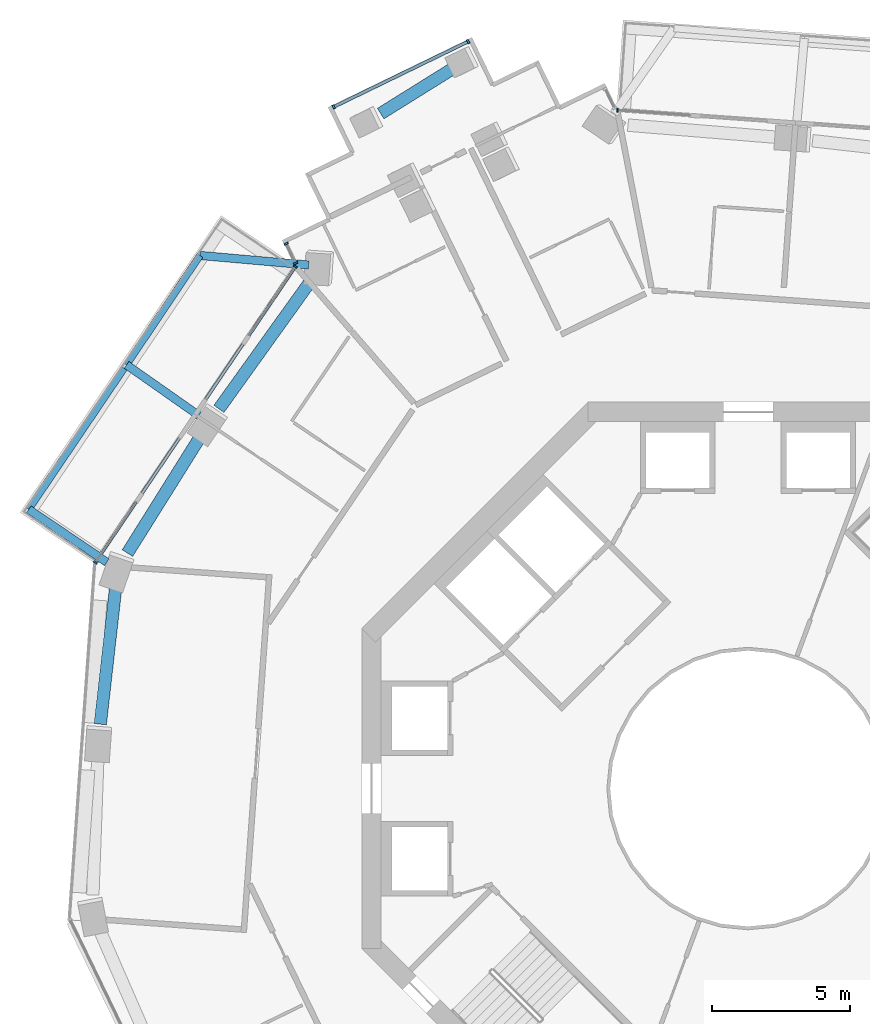
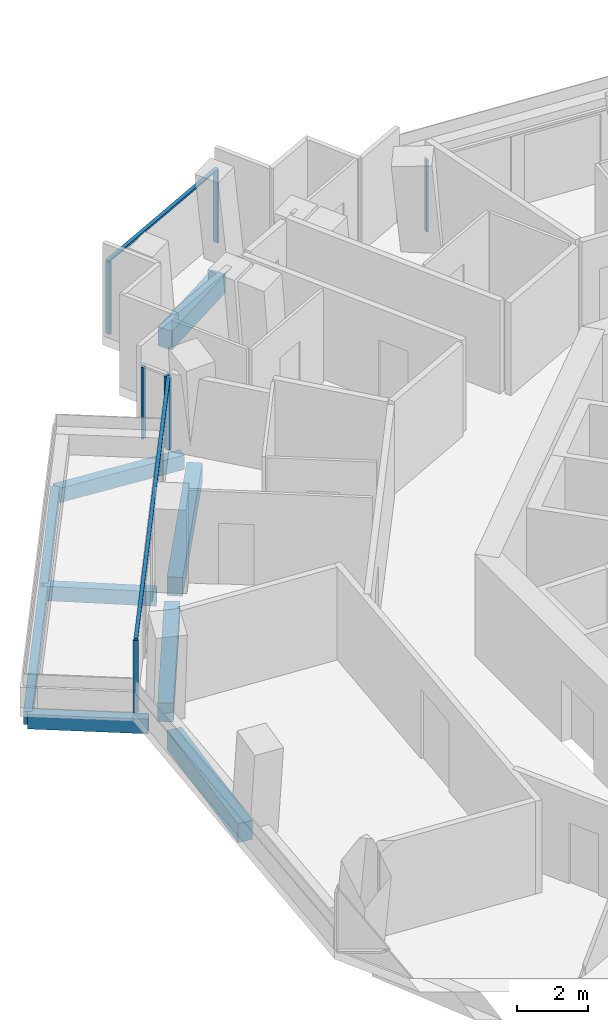
# One storey, part 6 of 22: 9 beams, 9 members, 4 elements without a shape of their own.
"""IFC4 building model written with IfcOpenShell, lengths in metres."""

from ifc_helpers import new_model, si_unit, direction, frame, origin, origin_2d, place, context, subcontext, project, spatial, rectangle, extrude, material, layer, layer_set, material_profile, profile_set, type_object, element, aggregate, save


model = new_model("IFC4")

# Units and contexts
model_context = context("Model", 3, precision=1e-05, world=origin(), true_north=direction((0.0, 1.0)))
body_context = subcontext(model_context, "Body", "Model", "MODEL_VIEW")
ifc_project = project(units=[si_unit("LENGTHUNIT", "METRE"), si_unit("AREAUNIT", "SQUARE_METRE"), si_unit("VOLUMEUNIT", "CUBIC_METRE"), si_unit("PLANEANGLEUNIT", "RADIAN"), si_unit("MASSUNIT", "GRAM", prefix="KILO")], contexts=[model_context])

# Site, building, storey
site_placement = place(None, origin())
site = spatial("IfcSite", under=ifc_project, at=site_placement, CompositionType="ELEMENT")
building_placement = place(site_placement, origin())
building = spatial("IfcBuilding", under=site, at=building_placement, Name="Verdalira Terraces Hotel", CompositionType="ELEMENT")
storey_placement = place(building_placement, frame((0.0, 0.0, 140.0)))
storey = spatial("IfcBuildingStorey", under=building, at=storey_placement, Name="L33", CompositionType="ELEMENT", Elevation=140.0)

# Beams
ifc_material_1 = material(Name="Concrete C40", Category="concrete")
ifc_material_profile_1 = material_profile(ifc_material_1, rectangle(XDim=0.300049, YDim=0.5, at=origin_2d()), Name="RC 300X500")
ifc_profile_set_1 = profile_set([ifc_material_profile_1], Name="Concrete C40")
beam_type_1 = type_object("IfcBeamType", Name="Balcony cantilever beam RC 300X500 C40", PredefinedType="BEAM", material=ifc_profile_set_1)
beam_1_placement = place(storey_placement, frame((-15.925293, 18.97168, -0.560059), z_axis=(-0.996130327, 0.087888399, 0.0), x_axis=(-0.087888399, -0.996130327, 0.0)))
element("IfcBeam", 1, at=beam_1_placement, inside=storey, type_object=beam_type_1, Name="Balcony cantilever beam R11-1", PredefinedType="BEAM", context=body_context, shape_type="SweptSolid", body=[
    extrude(rectangle(XDim=0.300049, YDim=0.5, at=origin_2d()), origin(), (0.0, 0.0, 1.0), 3.950195),
])
beam_2_placement = place(storey_placement, frame((-19.902344, 13.516113, -0.560059), z_axis=(-0.818722765, 0.574189023, 0.0), x_axis=(-0.574189023, -0.818722765, 0.0)))
element("IfcBeam", 2, at=beam_2_placement, inside=storey, type_object=beam_type_1, Name="Balcony cantilever beam R11-2", PredefinedType="BEAM", context=body_context, shape_type="SweptSolid", body=[
    extrude(rectangle(XDim=0.300049, YDim=0.5, at=origin_2d()), origin(), (0.0, 0.0, 1.0), 3.200928),
])
beam_3_placement = place(storey_placement, frame((-23.23584, 8.201904, -0.560059), z_axis=(-0.828238548, 0.560375684, 0.0), x_axis=(-0.560375684, -0.828238548, 0.0)))
element("IfcBeam", 3, at=beam_3_placement, inside=storey, type_object=beam_type_1, Name="Balcony cantilever beam R11-3", PredefinedType="BEAM", context=body_context, shape_type="SweptSolid", body=[
    extrude(rectangle(XDim=0.300049, YDim=0.5, at=origin_2d()), origin(), (0.0, 0.0, 1.0), 3.416992),
])
ifc_material_2 = material(Name="Concrete C40", Category="concrete")
ifc_material_profile_2 = material_profile(ifc_material_2, rectangle(XDim=0.25, YDim=0.449951, at=origin_2d()), Name="RC 250X450")
ifc_profile_set_2 = profile_set([ifc_material_profile_2], Name="Concrete C40")
beam_type_2 = type_object("IfcBeamType", Name="Balcony edge beam RC 250X450 C40", PredefinedType="BEAM", material=ifc_profile_set_2)
beam_4_placement = place(storey_placement, frame((-19.860107, 19.318848, -0.534912), z_axis=(-0.557539884, -0.830150153, 0.0), x_axis=(0.830150153, -0.557539884, 0.0)))
element("IfcBeam", 4, at=beam_4_placement, inside=storey, type_object=beam_type_2, Name="Balcony edge beam R11-1", PredefinedType="BEAM", context=body_context, shape_type="SweptSolid", body=[
    extrude(rectangle(XDim=0.25, YDim=0.449951, at=origin_2d()), origin(), (0.0, 0.0, 1.0), 4.776123),
])
beam_5_placement = place(storey_placement, frame((-22.607178, 15.229492, -0.534912), z_axis=(-0.560318944, -0.828276935, 0.0), x_axis=(0.828276935, -0.560318944, 0.0)))
element("IfcBeam", 5, at=beam_5_placement, inside=storey, type_object=beam_type_2, Name="Balcony edge beam R11-2", PredefinedType="BEAM", context=body_context, shape_type="SweptSolid", body=[
    extrude(rectangle(XDim=0.25, YDim=0.449951, at=origin_2d()), origin(), (0.0, 0.0, 1.0), 6.172852),
])

# Curtain wall, members
ifc_material_3 = material(Name="Clear glass", Category="glass")
ifc_layer_1 = layer(ifc_material_3, 0.14990234375)
ifc_layer_set_1 = layer_set([ifc_layer_1], Name="CW1 curtain wall")
curtain_wall_type_1 = type_object("IfcCurtainWallType", Name="CW1 curtain wall", PredefinedType="NOTDEFINED", material=ifc_layer_set_1)
curtain_wall_1_placement = place(storey_placement, origin())
curtain_wall_1 = element("IfcCurtainWall", 6, at=curtain_wall_1_placement, inside=storey, type_object=curtain_wall_type_1, Name="CW1 curtain wall L33 edge 11", PredefinedType="NOTDEFINED")
ifc_material_4 = material(Name="Terracotta frame", Category="masonry")
ifc_material_profile_3 = material_profile(ifc_material_4, rectangle(XDim=0.060059, YDim=0.149902, at=origin_2d()), Name="MU 60x150")
ifc_profile_set_3 = profile_set([ifc_material_profile_3], Name="Terracotta frame")
member_type_1 = type_object("IfcMemberType", Name="CW1 mullion 60x150", PredefinedType="MULLION", material=ifc_profile_set_3)
member_1_placement = place(storey_placement, frame((-16.404541, 18.909912, 0.0), z_axis=(0.0, 0.0, 1.0), x_axis=(-0.560349913, -0.828255984, 0.0)))
member_1 = element("IfcMember", 7, at=member_1_placement, type_object=member_type_1, Name="CW1 mullion", PredefinedType="MULLION", context=body_context, shape_type="SweptSolid", body=[
    extrude(rectangle(XDim=0.060059, YDim=0.149902, at=origin_2d()), origin(), (0.0, 0.0, 1.0), 2.475098),
])
member_2_placement = place(storey_placement, frame((-23.655518, 8.192383, 0.0), z_axis=(0.0, 0.0, 1.0), x_axis=(-0.560349913, -0.828255984, 0.0)))
member_2 = element("IfcMember", 8, at=member_2_placement, type_object=member_type_1, Name="CW1 mullion", PredefinedType="MULLION", context=body_context, shape_type="SweptSolid", body=[
    extrude(rectangle(XDim=0.060059, YDim=0.149902, at=origin_2d()), origin(), (0.0, 0.0, 1.0), 2.475098),
])

# Curtain wall, member
curtain_wall_2_placement = place(storey_placement, origin())
curtain_wall_2 = element("IfcCurtainWall", 9, at=curtain_wall_2_placement, inside=storey, type_object=curtain_wall_type_1, Name="CW1 curtain wall L33 edge 41", PredefinedType="NOTDEFINED")
member_3_placement = place(storey_placement, frame((-4.73291, 24.582275, 0.0), z_axis=(0.0, 0.0, 1.0), x_axis=(-0.997465679, 0.071149267, 0.0)))
member_3 = element("IfcMember", 10, at=member_3_placement, type_object=member_type_1, Name="CW1 mullion", PredefinedType="MULLION", context=body_context, shape_type="SweptSolid", body=[
    extrude(rectangle(XDim=0.060059, YDim=0.149902, at=origin_2d()), origin(), (0.0, 0.0, 1.0), 2.475098),
])
aggregate(curtain_wall_2, [member_3])

# Member
ifc_material_5 = material(Name="Terracotta frame", Category="masonry")
ifc_material_profile_4 = material_profile(ifc_material_5, rectangle(XDim=0.110107, YDim=0.064941, at=origin_2d()), Name="TR 65x110")
ifc_profile_set_4 = profile_set([ifc_material_profile_4], Name="Terracotta frame")
member_type_2 = type_object("IfcMemberType", Name="CW1 transom 65x110", PredefinedType="USERDEFINED", material=ifc_profile_set_4)
member_4_placement = place(storey_placement, frame((-16.387695, 18.934814, 2.507568), z_axis=(-0.560355977, -0.828251882, 0.0), x_axis=(0.828251882, -0.560355977, 0.0)))
member_4 = element("IfcMember", 11, at=member_4_placement, type_object=member_type_2, Name="CW1 transom", ObjectType="TRANSOM", PredefinedType="USERDEFINED", context=body_context, shape_type="SweptSolid", body=[
    extrude(rectangle(XDim=0.110107, YDim=0.064941, at=origin_2d()), origin(), (0.0, 0.0, 1.0), 13.0),
])

aggregate(curtain_wall_1, [member_1, member_2, member_4])

# Curtain wall, members
ifc_material_6 = material(Name="Clear glass", Category="glass")
ifc_layer_2 = layer(ifc_material_6, 0.14990234375)
ifc_layer_set_2 = layer_set([ifc_layer_2], Name="CW2 curtain wall")
curtain_wall_type_2 = type_object("IfcCurtainWallType", Name="CW2 curtain wall", PredefinedType="NOTDEFINED", material=ifc_layer_set_2)
curtain_wall_3_placement = place(storey_placement, origin())
curtain_wall_3 = element("IfcCurtainWall", 12, at=curtain_wall_3_placement, inside=storey, type_object=curtain_wall_type_2, Name="CW2 curtain wall L33 edge 10", PredefinedType="NOTDEFINED")
ifc_material_7 = material(Name="Terracotta frame", Category="masonry")
ifc_material_profile_5 = material_profile(ifc_material_7, rectangle(XDim=0.070068, YDim=0.149902, at=origin_2d()), Name="MU 70x150")
ifc_profile_set_5 = profile_set([ifc_material_profile_5], Name="Terracotta frame")
member_type_3 = type_object("IfcMemberType", Name="CW2 mullion 70x150", PredefinedType="MULLION", material=ifc_profile_set_5)
member_5_placement = place(storey_placement, frame((-16.738525, 19.742676, 0.0), z_axis=(0.0, 0.0, 1.0), x_axis=(0.437115767, -0.899405252, 0.0)))
member_5 = element("IfcMember", 13, at=member_5_placement, type_object=member_type_3, Name="CW2 mullion", PredefinedType="MULLION", context=body_context, shape_type="SweptSolid", body=[
    extrude(rectangle(XDim=0.070068, YDim=0.149902, at=origin_2d()), origin(), (0.0, 0.0, 1.0), 2.475098),
])
member_6_placement = place(storey_placement, frame((-16.397705, 19.041016, 0.0), z_axis=(0.0, 0.0, 1.0), x_axis=(0.437115767, -0.899405252, 0.0)))
member_6 = element("IfcMember", 14, at=member_6_placement, type_object=member_type_3, Name="CW2 mullion", PredefinedType="MULLION", context=body_context, shape_type="SweptSolid", body=[
    extrude(rectangle(XDim=0.070068, YDim=0.149902, at=origin_2d()), origin(), (0.0, 0.0, 1.0), 2.475098),
])
aggregate(curtain_wall_3, [member_5, member_6])

ifc_material_8 = material(Name="Clear glass", Category="glass")
ifc_layer_3 = layer(ifc_material_8, 0.14990234375)
ifc_layer_set_3 = layer_set([ifc_layer_3], Name="CW3 curtain wall")
curtain_wall_type_3 = type_object("IfcCurtainWallType", Name="CW3 curtain wall", PredefinedType="NOTDEFINED", material=ifc_layer_set_3)
curtain_wall_4_placement = place(storey_placement, origin())
curtain_wall_4 = element("IfcCurtainWall", 15, at=curtain_wall_4_placement, inside=storey, type_object=curtain_wall_type_3, Name="CW3 curtain wall L33 edge 5", PredefinedType="NOTDEFINED")
ifc_material_9 = material(Name="Terracotta frame", Category="masonry")
ifc_material_profile_6 = material_profile(ifc_material_9, rectangle(XDim=0.080078, YDim=0.149902, at=origin_2d()), Name="MU 80x150")
ifc_profile_set_6 = profile_set([ifc_material_profile_6], Name="Terracotta frame")
member_type_4 = type_object("IfcMemberType", Name="CW3 mullion 80x150", PredefinedType="MULLION", material=ifc_profile_set_6)
member_7_placement = place(storey_placement, frame((-10.144287, 27.07251, 0.0), z_axis=(0.0, 0.0, 1.0), x_axis=(-0.899405252, -0.437115767, 0.0)))
member_7 = element("IfcMember", 16, at=member_7_placement, type_object=member_type_4, Name="CW3 mullion", PredefinedType="MULLION", context=body_context, shape_type="SweptSolid", body=[
    extrude(rectangle(XDim=0.080078, YDim=0.149902, at=origin_2d()), origin(), (0.0, 0.0, 1.0), 2.475098),
])
member_8_placement = place(storey_placement, frame((-15.019043, 24.703369, 0.0), z_axis=(0.0, 0.0, 1.0), x_axis=(-0.899405252, -0.437115767, 0.0)))
member_8 = element("IfcMember", 17, at=member_8_placement, type_object=member_type_4, Name="CW3 mullion", PredefinedType="MULLION", context=body_context, shape_type="SweptSolid", body=[
    extrude(rectangle(XDim=0.080078, YDim=0.149902, at=origin_2d()), origin(), (0.0, 0.0, 1.0), 2.475098),
])
ifc_material_10 = material(Name="Terracotta frame", Category="masonry")
ifc_material_profile_7 = material_profile(ifc_material_10, rectangle(XDim=0.120117, YDim=0.064941, at=origin_2d()), Name="TR 65x120")
ifc_profile_set_7 = profile_set([ifc_material_profile_7], Name="Terracotta frame")
member_type_5 = type_object("IfcMemberType", Name="CW3 transom 65x120", PredefinedType="USERDEFINED", material=ifc_profile_set_7)
member_9_placement = place(storey_placement, frame((-10.108398, 27.089844, 2.507568), z_axis=(-0.899404457, -0.437117402, 0.0), x_axis=(0.437117402, -0.899404457, 0.0)))
member_9 = element("IfcMember", 18, at=member_9_placement, type_object=member_type_5, Name="CW3 transom", ObjectType="TRANSOM", PredefinedType="USERDEFINED", context=body_context, shape_type="SweptSolid", body=[
    extrude(rectangle(XDim=0.120117, YDim=0.064941, at=origin_2d()), origin(), (0.0, 0.0, 1.0), 5.499756),
])
aggregate(curtain_wall_4, [member_7, member_8, member_9])

# Beams
ifc_material_11 = material(Name="Concrete C50", Category="concrete")
ifc_material_profile_8 = material_profile(ifc_material_11, rectangle(XDim=0.449951, YDim=0.649902, at=origin_2d()), Name="RC 450X650")
ifc_profile_set_8 = profile_set([ifc_material_profile_8], Name="Concrete C50")
beam_type_3 = type_object("IfcBeamType", Name="Spandrel beam RC 450X650 C50", PredefinedType="SPANDREL", material=ifc_profile_set_8)
beam_6_placement = place(storey_placement, frame((-10.604492, 26.14917, -0.63501), z_axis=(-0.84869356, -0.528884904, 0.0), x_axis=(0.528884904, -0.84869356, 0.0)))
element("IfcBeam", 19, at=beam_6_placement, inside=storey, type_object=beam_type_3, Name="Spandrel beam B01", PredefinedType="SPANDREL", context=body_context, shape_type="SweptSolid", body=[
    extrude(rectangle(XDim=0.449951, YDim=0.649902, at=origin_2d()), origin(), (0.0, 0.0, 1.0), 3.192627),
])
beam_7_placement = place(storey_placement, frame((-15.869385, 18.36792, -0.63501), z_axis=(-0.582825087, -0.812597636, 0.0), x_axis=(0.812597636, -0.582825087, 0.0)))
element("IfcBeam", 20, at=beam_7_placement, inside=storey, type_object=beam_type_3, Name="Spandrel beam B02", PredefinedType="SPANDREL", context=body_context, shape_type="SweptSolid", body=[
    extrude(rectangle(XDim=0.449951, YDim=0.649902, at=origin_2d()), origin(), (0.0, 0.0, 1.0), 5.671875),
])
beam_8_placement = place(storey_placement, frame((-19.830078, 12.781494, -0.63501), z_axis=(-0.530826186, -0.847480714, 0.0), x_axis=(0.847480714, -0.530826186, 0.0)))
element("IfcBeam", 21, at=beam_8_placement, inside=storey, type_object=beam_type_3, Name="Spandrel beam B03", PredefinedType="SPANDREL", context=body_context, shape_type="SweptSolid", body=[
    extrude(rectangle(XDim=0.449951, YDim=0.649902, at=origin_2d()), origin(), (0.0, 0.0, 1.0), 5.012207),
])
beam_9_placement = place(storey_placement, frame((-22.913574, 7.317139, -0.63501), z_axis=(-0.112349362, -0.993668768, 0.0), x_axis=(0.993668768, -0.112349362, 0.0)))
element("IfcBeam", 22, at=beam_9_placement, inside=storey, type_object=beam_type_3, Name="Spandrel beam B04", PredefinedType="SPANDREL", context=body_context, shape_type="SweptSolid", body=[
    extrude(rectangle(XDim=0.449951, YDim=0.649902, at=origin_2d()), origin(), (0.0, 0.0, 1.0), 5.015381),
])

save(model, "model.ifc")
